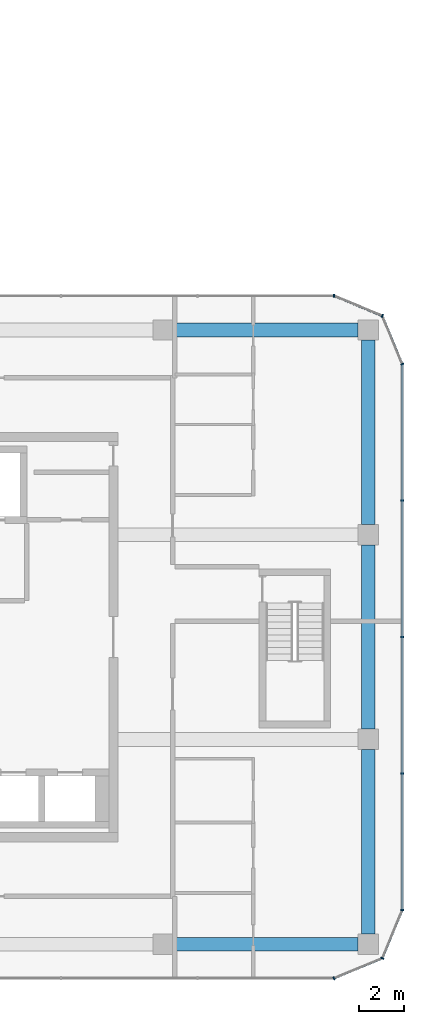
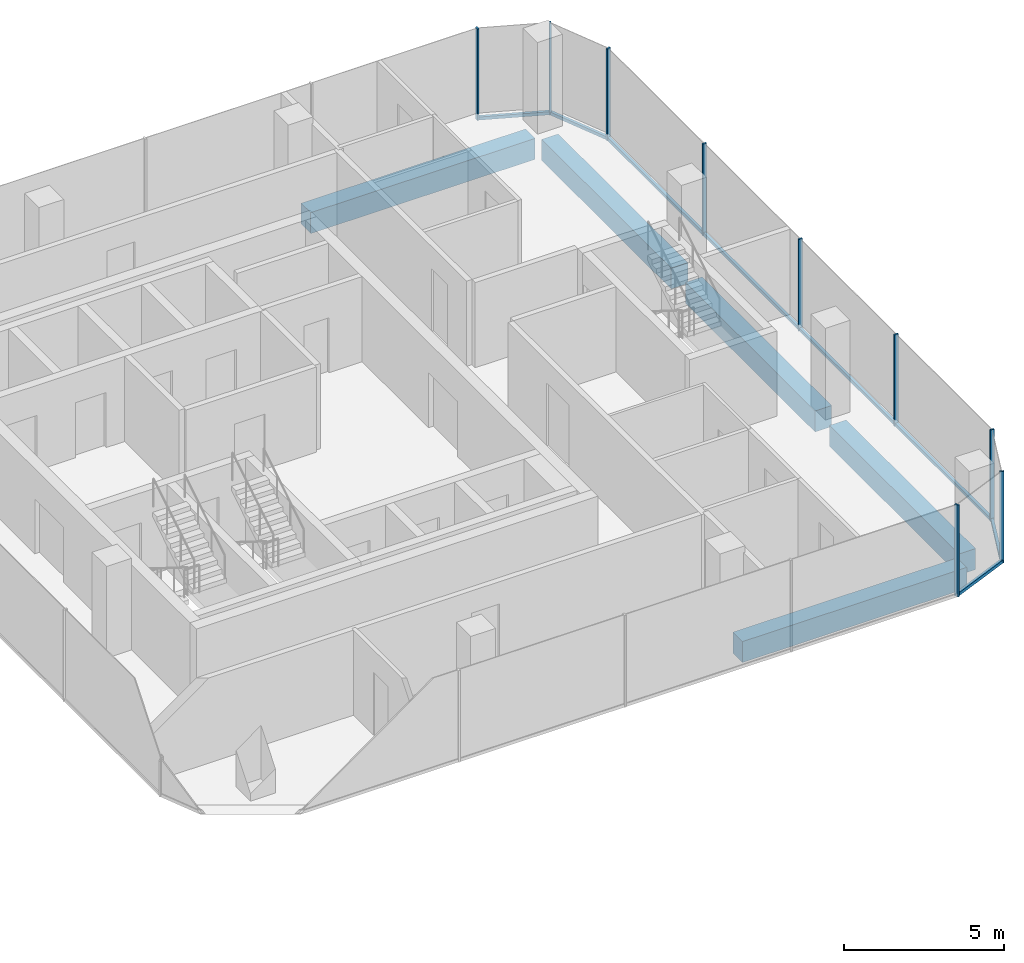
# One storey, part 10 of 23: 14 members, 5 beams, 6 elements without a shape of their own.
"""IFC4 building model written with IfcOpenShell, lengths in metres."""

from ifc_helpers import new_model, si_unit, direction, frame, origin, origin_2d, place, context, subcontext, project, spatial, rectangle, extrude, material, layer, layer_set, material_profile, profile_set, type_object, element, aggregate, save


model = new_model("IFC4")

# Units and contexts
model_context = context("Model", 3, precision=1e-05, world=origin(), true_north=direction((0.0, 1.0)))
body_context = subcontext(model_context, "Body", "Model", "MODEL_VIEW")
ifc_project = project(units=[si_unit("LENGTHUNIT", "METRE"), si_unit("AREAUNIT", "SQUARE_METRE"), si_unit("VOLUMEUNIT", "CUBIC_METRE"), si_unit("PLANEANGLEUNIT", "RADIAN"), si_unit("MASSUNIT", "GRAM", prefix="KILO")], contexts=[model_context])

# Site, building, storey
site_placement = place(None, origin())
site = spatial("IfcSite", under=ifc_project, at=site_placement, CompositionType="ELEMENT")
building_placement = place(site_placement, origin())
building = spatial("IfcBuilding", under=site, at=building_placement, Name="Plateau Cross Towers", CompositionType="ELEMENT")
storey_placement = place(building_placement, frame((0.0, 0.0, 95.800048828125)))
storey = spatial("IfcBuildingStorey", under=building, at=storey_placement, Name="L24", CompositionType="ELEMENT", Elevation=95.800048828125)

# Curtain wall, member
ifc_material_1 = material(Name="Dark low-iron glass", Category="glass")
ifc_layer = layer(ifc_material_1, 0.239990234375)
ifc_layer_set = layer_set([ifc_layer], Name="Dark low-iron glass")
curtain_wall_type = type_object("IfcCurtainWallType", Name="Curtain wall office unitised CW-F", PredefinedType="NOTDEFINED", material=ifc_layer_set)
curtain_wall_1_placement = place(storey_placement, origin())
curtain_wall_1 = element("IfcCurtainWall", 1, at=curtain_wall_1_placement, inside=storey, type_object=curtain_wall_type, Name="ENV/B/L24/B990_-60", PredefinedType="NOTDEFINED")
ifc_material_2 = material(Name="Black anodised aluminium", Category="aluminium")
ifc_material_profile_1 = material_profile(ifc_material_2, rectangle(XDim=0.06005859375, YDim=0.139892578125, at=origin_2d()), Name="MULLION 60x140")
ifc_profile_set_1 = profile_set([ifc_material_profile_1], Name="Black anodised aluminium")
member_type_1 = type_object("IfcMemberType", Name="Mullion 60x140 office unitised", PredefinedType="MULLION", material=ifc_profile_set_1)
member_1_placement = place(storey_placement, frame((99.0, -6.0, -0.25), z_axis=(0.0, 0.0, 1.0), x_axis=(0.923879457699, 0.382683612978, 0.0)))
member_1 = element("IfcMember", 2, at=member_1_placement, type_object=member_type_1, Name="CW-F mullion 1", PredefinedType="MULLION", context=body_context, shape_type="SweptSolid", body=[
    extrude(rectangle(XDim=0.06005859375, YDim=0.139892578125, at=origin_2d()), origin(), (0.0, 0.0, 1.0), 3.5),
])

curtain_wall_2_placement = place(storey_placement, origin())
curtain_wall_2 = element("IfcCurtainWall", 3, at=curtain_wall_2_placement, inside=storey, type_object=curtain_wall_type, Name="ENV/B/L24/B1011_-51", PredefinedType="NOTDEFINED")
member_2_placement = place(storey_placement, frame((101.121337890625, -5.121337890625, -0.25), z_axis=(0.0, 0.0, 1.0), x_axis=(0.382683612978, 0.923879457699, 0.0)))
member_2 = element("IfcMember", 4, at=member_2_placement, type_object=member_type_1, Name="CW-F mullion 1", PredefinedType="MULLION", context=body_context, shape_type="SweptSolid", body=[
    extrude(rectangle(XDim=0.06005859375, YDim=0.139892578125, at=origin_2d()), origin(), (0.0, 0.0, 1.0), 3.5),
])

# Curtain wall, members
curtain_wall_3_placement = place(storey_placement, origin())
curtain_wall_3 = element("IfcCurtainWall", 5, at=curtain_wall_3_placement, inside=storey, type_object=curtain_wall_type, Name="ENV/B/L24/B1020_-30", PredefinedType="NOTDEFINED")
member_3_placement = place(storey_placement, frame((102.0, -3.0, -0.25), z_axis=(0.0, 0.0, 1.0), x_axis=(0.0, 1.0, 0.0)))
member_3 = element("IfcMember", 6, at=member_3_placement, type_object=member_type_1, Name="CW-F mullion 1", PredefinedType="MULLION", context=body_context, shape_type="SweptSolid", body=[
    extrude(rectangle(XDim=0.06005859375, YDim=0.139892578125, at=origin_2d()), origin(), (0.0, 0.0, 1.0), 3.5),
])
member_4_placement = place(storey_placement, frame((102.0, 3.0, -0.25), z_axis=(0.0, 0.0, 1.0), x_axis=(0.0, 1.0, 0.0)))
member_4 = element("IfcMember", 7, at=member_4_placement, type_object=member_type_1, Name="CW-F mullion 2", PredefinedType="MULLION", context=body_context, shape_type="SweptSolid", body=[
    extrude(rectangle(XDim=0.06005859375, YDim=0.139892578125, at=origin_2d()), origin(), (0.0, 0.0, 1.0), 3.5),
])
member_5_placement = place(storey_placement, frame((102.0, 9.0, -0.25), z_axis=(0.0, 0.0, 1.0), x_axis=(0.0, 1.0, 0.0)))
member_5 = element("IfcMember", 8, at=member_5_placement, type_object=member_type_1, Name="CW-F mullion 3", PredefinedType="MULLION", context=body_context, shape_type="SweptSolid", body=[
    extrude(rectangle(XDim=0.06005859375, YDim=0.139892578125, at=origin_2d()), origin(), (0.0, 0.0, 1.0), 3.5),
])
member_6_placement = place(storey_placement, frame((102.0, 15.0, -0.25), z_axis=(0.0, 0.0, 1.0), x_axis=(0.0, 1.0, 0.0)))
member_6 = element("IfcMember", 9, at=member_6_placement, type_object=member_type_1, Name="CW-F mullion 4", PredefinedType="MULLION", context=body_context, shape_type="SweptSolid", body=[
    extrude(rectangle(XDim=0.06005859375, YDim=0.139892578125, at=origin_2d()), origin(), (0.0, 0.0, 1.0), 3.5),
])

# Curtain wall, member
curtain_wall_4_placement = place(storey_placement, origin())
curtain_wall_4 = element("IfcCurtainWall", 10, at=curtain_wall_4_placement, inside=storey, type_object=curtain_wall_type, Name="ENV/B/L24/B1020_210", PredefinedType="NOTDEFINED")
member_7_placement = place(storey_placement, frame((102.0, 21.0, -0.25), z_axis=(0.0, 0.0, 1.0), x_axis=(-0.382683612978, 0.923879457699, 0.0)))
member_7 = element("IfcMember", 11, at=member_7_placement, type_object=member_type_1, Name="CW-F mullion 1", PredefinedType="MULLION", context=body_context, shape_type="SweptSolid", body=[
    extrude(rectangle(XDim=0.06005859375, YDim=0.139892578125, at=origin_2d()), origin(), (0.0, 0.0, 1.0), 3.5),
])

curtain_wall_5_placement = place(storey_placement, origin())
curtain_wall_5 = element("IfcCurtainWall", 12, at=curtain_wall_5_placement, inside=storey, type_object=curtain_wall_type, Name="ENV/B/L24/B1011_231", PredefinedType="NOTDEFINED")
member_8_placement = place(storey_placement, frame((101.121337890625, 23.121337890625, -0.25), z_axis=(0.0, 0.0, 1.0), x_axis=(-0.923879457699, 0.382683612978, 0.0)))
member_8 = element("IfcMember", 13, at=member_8_placement, type_object=member_type_1, Name="CW-F mullion 1", PredefinedType="MULLION", context=body_context, shape_type="SweptSolid", body=[
    extrude(rectangle(XDim=0.06005859375, YDim=0.139892578125, at=origin_2d()), origin(), (0.0, 0.0, 1.0), 3.5),
])

curtain_wall_6_placement = place(storey_placement, origin())
curtain_wall_6 = element("IfcCurtainWall", 14, at=curtain_wall_6_placement, inside=storey, type_object=curtain_wall_type, Name="ENV/B/L24/B990_240", PredefinedType="NOTDEFINED")
member_9_placement = place(storey_placement, frame((99.0, 24.0, -0.25), z_axis=(0.0, 0.0, 1.0), x_axis=(-1.0, 0.0, 0.0)))
member_9 = element("IfcMember", 15, at=member_9_placement, type_object=member_type_1, Name="CW-F mullion 1", PredefinedType="MULLION", context=body_context, shape_type="SweptSolid", body=[
    extrude(rectangle(XDim=0.06005859375, YDim=0.139892578125, at=origin_2d()), origin(), (0.0, 0.0, 1.0), 3.5),
])
aggregate(curtain_wall_6, [member_9])

# Beams
ifc_material_3 = material(Name="Concrete C60/75", Category="concrete")
ifc_material_profile_2 = material_profile(ifc_material_3, rectangle(XDim=0.60009765625, YDim=0.800048828125, at=origin_2d()), Name="RC 600x800")
ifc_profile_set_2 = profile_set([ifc_material_profile_2], Name="Concrete C60/75")
beam_type = type_object("IfcBeamType", Name="Ring beam RC 600x800", PredefinedType="BEAM", material=ifc_profile_set_2)
for number, where, z_axis, x_axis, name in (
    (16, (91.949951171875, -4.5, -0.650146484375), (1.0, 0.0, 0.0), (0.0, 1.0, 0.0), "B-RB02@L24"),
    (17, (100.5, -4.050048828125, -0.650146484375), (0.0, 1.0, 0.0), (-1.0, 0.0, 0.0), "B-RB03@L24"),
    (18, (100.5, 4.949951171875, -0.650146484375), (0.0, 1.0, 0.0), (-1.0, 0.0, 0.0), "B-RB04@L24"),
    (19, (100.5, 13.949951171875, -0.650146484375), (0.0, 1.0, 0.0), (-1.0, 0.0, 0.0), "B-RB05@L24"),
    (20, (100.050048828125, 22.5, -0.650146484375), (-1.0, 0.0, 0.0), (0.0, -1.0, 0.0), "B-RB06@L24"),
):
    element("IfcBeam", number, at=place(storey_placement, frame(where, z_axis=z_axis, x_axis=x_axis)), inside=storey, type_object=beam_type, Name=name, PredefinedType="BEAM", context=body_context, shape_type="SweptSolid", body=[
        extrude(rectangle(XDim=0.60009765625, YDim=0.800048828125, at=origin_2d()), origin(), (0.0, 0.0, 1.0), 8.10009765625),
    ])

# Member
ifc_material_profile_3 = material_profile(ifc_material_2, rectangle(XDim=0.10009765625, YDim=0.1201171875, at=origin_2d()), Name="TRANSOM 100x120")
ifc_profile_set_3 = profile_set([ifc_material_profile_3], Name="Black anodised aluminium")
member_type_2 = type_object("IfcMemberType", Name="Transom 100x120 office unitised", PredefinedType="USERDEFINED", material=ifc_profile_set_3)
member_10_placement = place(storey_placement, frame((99.0, -6.0, -0.18994140625), z_axis=(0.923883353507, 0.382674207535, 0.0), x_axis=(-0.382674207535, 0.923883353507, 0.0)))
member_10 = element("IfcMember", 21, at=member_10_placement, type_object=member_type_2, Name="CW-F transom", ObjectType="TRANSOM", PredefinedType="USERDEFINED", context=body_context, shape_type="SweptSolid", body=[
    extrude(rectangle(XDim=0.10009765625, YDim=0.1201171875, at=origin_2d()), origin(), (0.0, 0.0, 1.0), 2.296142578125),
])

aggregate(curtain_wall_1, [member_1, member_10])

member_11_placement = place(storey_placement, frame((101.121337890625, -5.121337890625, -0.18994140625), z_axis=(0.382674207535, 0.923883353507, 0.0), x_axis=(-0.923883353507, 0.382674207535, 0.0)))
member_11 = element("IfcMember", 22, at=member_11_placement, type_object=member_type_2, Name="CW-F transom", ObjectType="TRANSOM", PredefinedType="USERDEFINED", context=body_context, shape_type="SweptSolid", body=[
    extrude(rectangle(XDim=0.10009765625, YDim=0.1201171875, at=origin_2d()), origin(), (0.0, 0.0, 1.0), 2.296142578125),
])

aggregate(curtain_wall_2, [member_2, member_11])

member_12_placement = place(storey_placement, frame((102.0, -3.0, -0.18994140625), z_axis=(0.0, 1.0, 0.0), x_axis=(-1.0, 0.0, 0.0)))
member_12 = element("IfcMember", 23, at=member_12_placement, type_object=member_type_2, Name="CW-F transom", ObjectType="TRANSOM", PredefinedType="USERDEFINED", context=body_context, shape_type="SweptSolid", body=[
    extrude(rectangle(XDim=0.10009765625, YDim=0.1201171875, at=origin_2d()), origin(), (0.0, 0.0, 1.0), 24.0),
])

aggregate(curtain_wall_3, [member_3, member_4, member_5, member_6, member_12])

member_13_placement = place(storey_placement, frame((102.0, 21.0, -0.18994140625), z_axis=(-0.382674207535, 0.923883353507, 0.0), x_axis=(-0.923883353507, -0.382674207535, 0.0)))
member_13 = element("IfcMember", 24, at=member_13_placement, type_object=member_type_2, Name="CW-F transom", ObjectType="TRANSOM", PredefinedType="USERDEFINED", context=body_context, shape_type="SweptSolid", body=[
    extrude(rectangle(XDim=0.10009765625, YDim=0.1201171875, at=origin_2d()), origin(), (0.0, 0.0, 1.0), 2.296142578125),
])

aggregate(curtain_wall_4, [member_7, member_13])

member_14_placement = place(storey_placement, frame((101.121337890625, 23.121337890625, -0.18994140625), z_axis=(-0.923883353507, 0.382674207535, 0.0), x_axis=(-0.382674207535, -0.923883353507, 0.0)))
member_14 = element("IfcMember", 25, at=member_14_placement, type_object=member_type_2, Name="CW-F transom", ObjectType="TRANSOM", PredefinedType="USERDEFINED", context=body_context, shape_type="SweptSolid", body=[
    extrude(rectangle(XDim=0.10009765625, YDim=0.1201171875, at=origin_2d()), origin(), (0.0, 0.0, 1.0), 2.296142578125),
])

aggregate(curtain_wall_5, [member_8, member_14])

save(model, "model.ifc")
